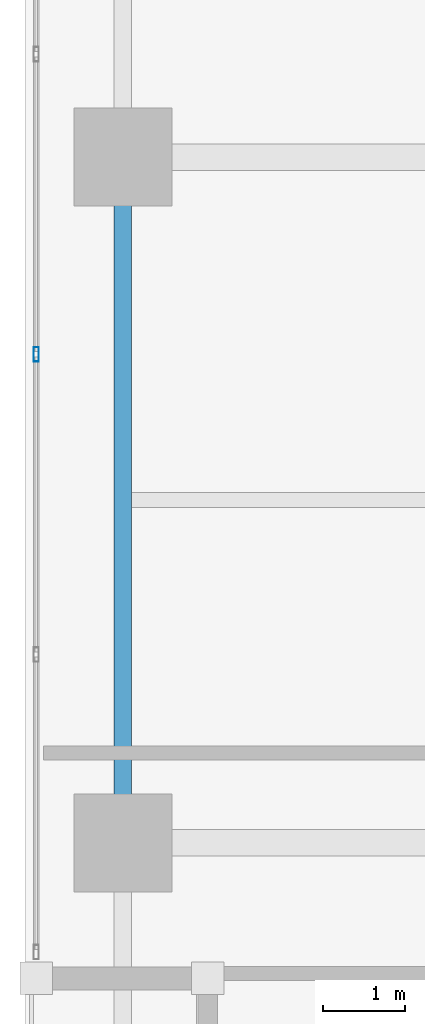
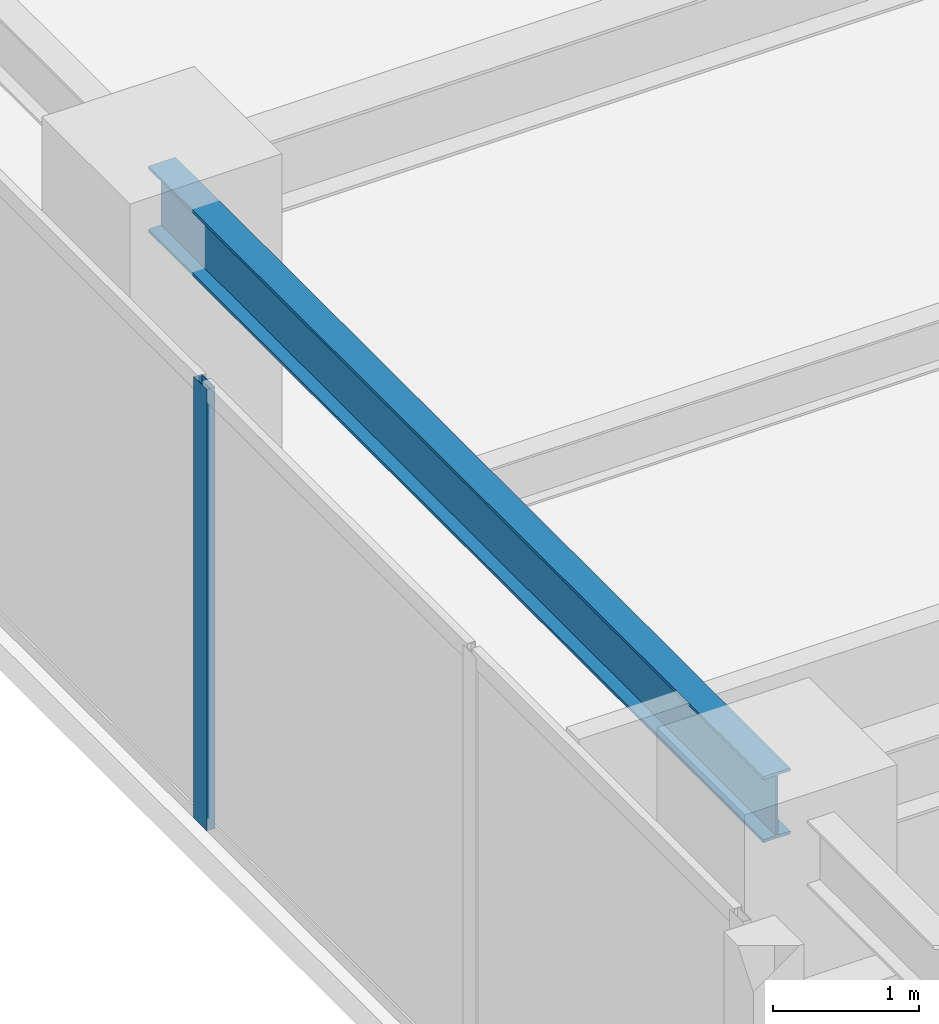
# One storey, part 5 of 30: 1 beam, 1 member, 1 element without a shape of its own.
"""IFC4 building model written with IfcOpenShell, lengths in metres."""

from ifc_helpers import new_model, si_unit, direction, frame, origin, origin_2d, place, context, subcontext, project, spatial, hollow_rectangle, i_section, extrude, material, layer, layer_set, material_profile, profile_set, type_object, element, aggregate, save


model = new_model("IFC4")

# Units and contexts
model_context = context("Model", 3, precision=1e-05, world=origin(), true_north=direction((0.0, 1.0)))
body_context = subcontext(model_context, "Body", "Model", "MODEL_VIEW")
ifc_project = project(units=[si_unit("LENGTHUNIT", "METRE"), si_unit("AREAUNIT", "SQUARE_METRE"), si_unit("VOLUMEUNIT", "CUBIC_METRE"), si_unit("PLANEANGLEUNIT", "RADIAN"), si_unit("MASSUNIT", "GRAM", prefix="KILO")], contexts=[model_context])

# Site, building, storey
site_placement = place(None, origin())
site = spatial("IfcSite", under=ifc_project, at=site_placement, CompositionType="ELEMENT")
building_placement = place(site_placement, origin())
building = spatial("IfcBuilding", under=site, at=building_placement, Name="Kiyonajd Concourse Tower", CompositionType="ELEMENT")
storey_placement = place(building_placement, frame((0.0, 0.0, 201.89990234375)))
storey = spatial("IfcBuildingStorey", under=building, at=storey_placement, Name="L51", CompositionType="ELEMENT", Elevation=201.89990234375)

# Beam
ifc_material_1 = material(Name="Steel ASTM A992 Grade 50", Category="steel")
ifc_material_profile_1 = material_profile(ifc_material_1, i_section(OverallWidth=0.214111328125, OverallDepth=0.549072265625, WebThickness=0.0146484375, FlangeThickness=0.023681640625, at=origin_2d()), Name="W530X138")
ifc_profile_set_1 = profile_set([ifc_material_profile_1], Name="Steel ASTM A992 Grade 50")
beam_type = type_object("IfcBeamType", Name="BM-SPAN-530A", PredefinedType="SPANDREL", material=ifc_profile_set_1)
beam_placement = place(storey_placement, frame((19.199951171875, 44.39990234375, 3.405517578125), z_axis=(0.0, -1.0, 0.0), x_axis=(1.0, 0.0, 0.0)))
element("IfcBeam", 1, at=beam_placement, inside=storey, type_object=beam_type, Name="L51 Perimeter Bundled Tube Spandrel", PredefinedType="SPANDREL", context=body_context, shape_type="SweptSolid", body=[
    extrude(i_section(OverallWidth=0.214111328125, OverallDepth=0.549072265625, WebThickness=0.0146484375, FlangeThickness=0.023681640625, at=origin_2d()), origin(), (0.0, 0.0, 1.0), 8.39990234375),
])

# Curtain wall, member
ifc_material_2 = material(Name="Thermally Broken Anodised Aluminium", Category="aluminium")
ifc_layer = layer(ifc_material_2, 0.179931640625)
ifc_layer_set = layer_set([ifc_layer], Name="Thermally Broken Anodised Aluminium")
curtain_wall_type = type_object("IfcCurtainWallType", Name="CW-SYS-03", PredefinedType="NOTDEFINED", material=ifc_layer_set)
curtain_wall_placement = place(storey_placement, origin())
curtain_wall = element("IfcCurtainWall", 2, at=curtain_wall_placement, inside=storey, type_object=curtain_wall_type, Name="L51 Unitised Curtain Wall CW3", PredefinedType="NOTDEFINED")
ifc_material_profile_2 = material_profile(ifc_material_2, hollow_rectangle(XDim=0.06494140625, YDim=0.179931640625, WallThickness=0.00390625, at=origin_2d()), Name="MULL-65x180")
ifc_profile_set_2 = profile_set([ifc_material_profile_2], Name="Thermally Broken Anodised Aluminium")
member_type = type_object("IfcMemberType", Name="MB-CW-MULL1", PredefinedType="MULLION", material=ifc_profile_set_2)
member_placement = place(storey_placement, frame((18.139892578125, 41.98388671875, 0.0), z_axis=(0.0, 0.0, 1.0), x_axis=(-1.0, 0.0, 0.0)))
member = element("IfcMember", 3, at=member_placement, type_object=member_type, Name="CW3 mullion 3", PredefinedType="MULLION", context=body_context, shape_type="SweptSolid", body=[
    extrude(hollow_rectangle(XDim=0.06494140625, YDim=0.179931640625, WallThickness=0.00390625, at=origin_2d()), origin(), (0.0, 0.0, 1.0), 3.68017578125),
])
aggregate(curtain_wall, [member])

save(model, "model.ifc")
